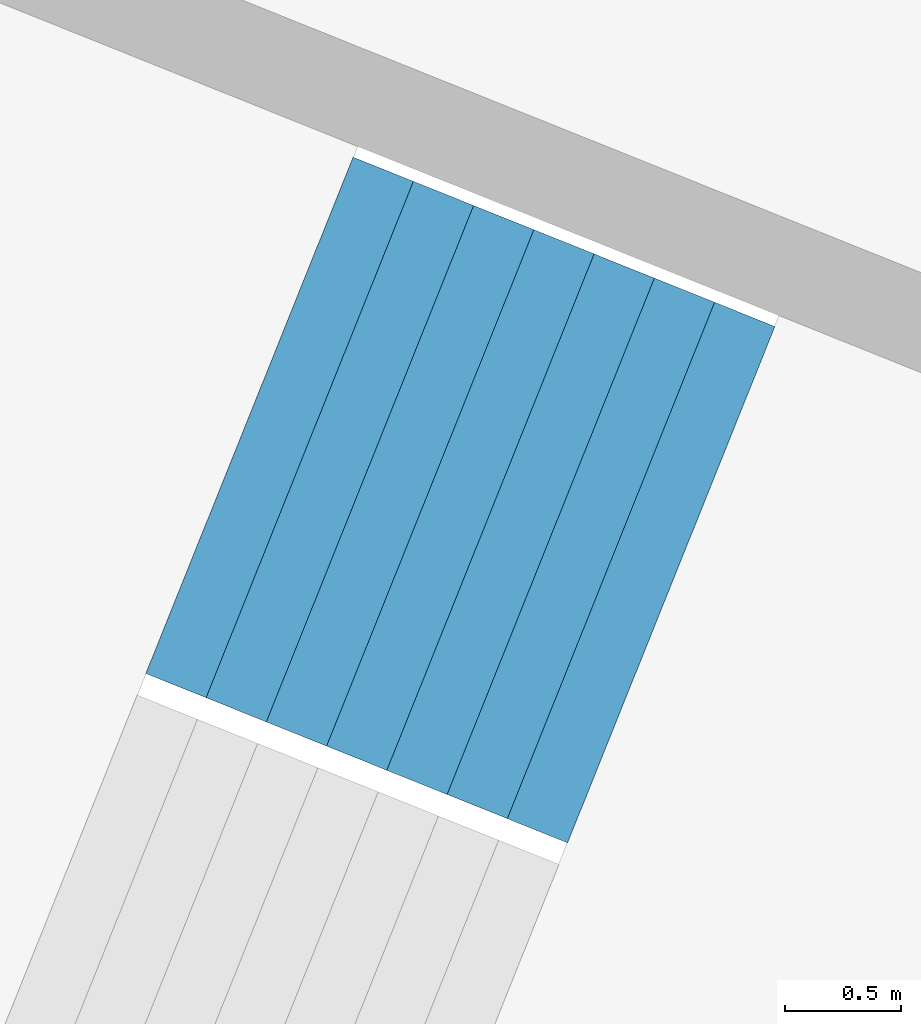
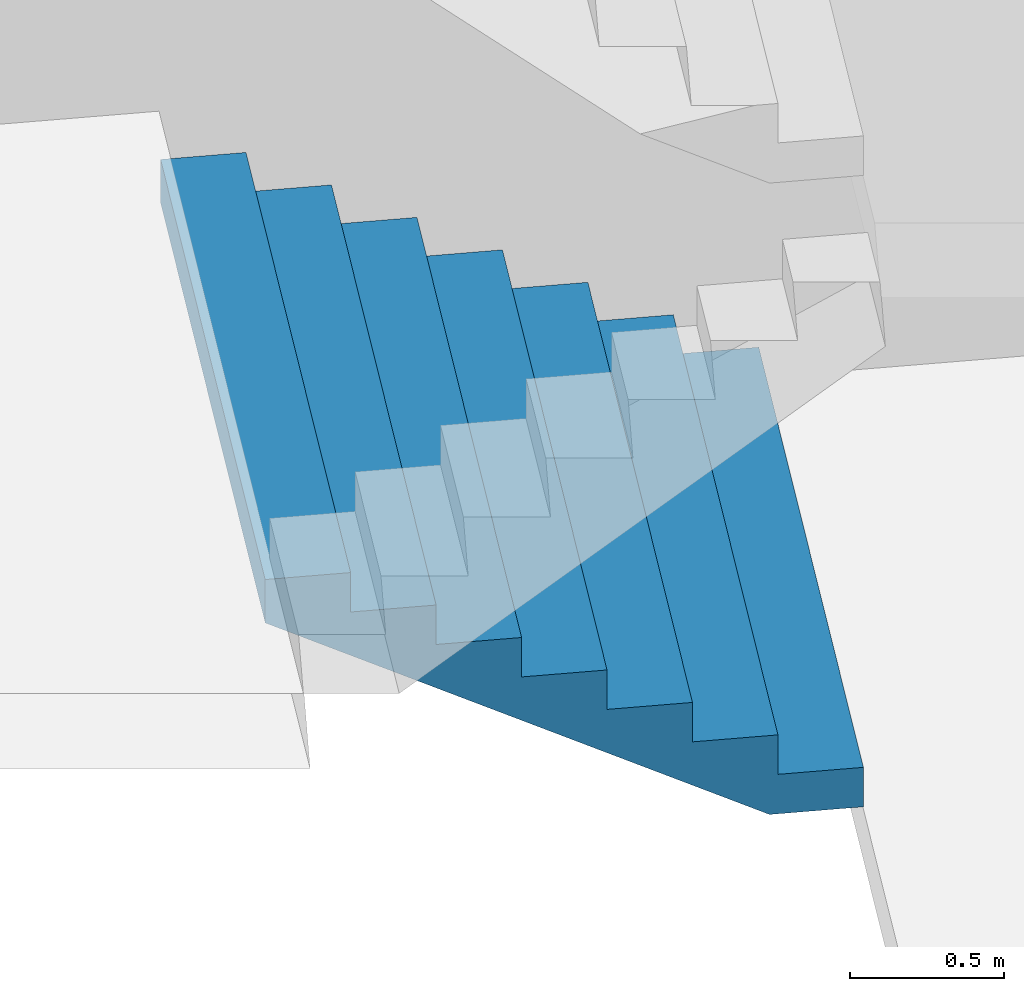
# One storey, part 35 of 73: 1 stair flight, 1 element without a shape of its own.
"""IFC4 building model written with IfcOpenShell, lengths in metres."""

from ifc_helpers import new_model, si_unit, direction, frame, origin, place, context, subcontext, project, spatial, triangles, material, type_object, element, aggregate, save


model = new_model("IFC4")

# Units and contexts
model_context = context("Model", 3, precision=1e-05, world=origin(), true_north=direction((0.0, 1.0)))
body_context = subcontext(model_context, "Body", "Model", "MODEL_VIEW")
ifc_project = project(units=[si_unit("LENGTHUNIT", "METRE"), si_unit("AREAUNIT", "SQUARE_METRE"), si_unit("VOLUMEUNIT", "CUBIC_METRE"), si_unit("PLANEANGLEUNIT", "RADIAN"), si_unit("MASSUNIT", "GRAM", prefix="KILO")], contexts=[model_context])

# Site, building, storey
site_placement = place(None, origin())
site = spatial("IfcSite", under=ifc_project, at=site_placement, CompositionType="ELEMENT")
building_placement = place(site_placement, origin())
building = spatial("IfcBuilding", under=site, at=building_placement, Name="Lantaw Convention Tower", CompositionType="ELEMENT")
storey_placement = place(building_placement, frame((0.0, 0.0, 22.0)))
storey = spatial("IfcBuildingStorey", under=building, at=storey_placement, Name="L03", CompositionType="ELEMENT", Elevation=22.0)

# Stair, stair flight
ifc_material = material(Name="Concrete C35/45", Category="concrete")
stair_type = type_object("IfcStairType", Name="Exit stair 2400 riser 156.25 in 4 flights", PredefinedType="HALF_TURN_STAIR", material=ifc_material)
stair_placement = place(storey_placement, origin())
stair = element("IfcStair", 1, at=stair_placement, inside=storey, type_object=stair_type, Name="Podium exit stair P8 L03", PredefinedType="HALF_TURN_STAIR")
stair_flight_type = type_object("IfcStairFlightType", Name="Stair flight 2400 riser 156.25", PredefinedType="STRAIGHT", material=ifc_material)
stair_flight_placement = place(storey_placement, frame((-35.799560546875, 15.71826171875, 0.0), z_axis=(0.0, 0.0, 1.0), x_axis=(-0.928015168305, 0.372542410198, 0.0)))
stair_flight = element("IfcStairFlight", 2, at=stair_flight_placement, type_object=stair_flight_type, Name="P8 flight 1", NumberOfRisers=8, NumberOfTreads=7, PredefinedType="STRAIGHT", RiserHeight=0.15625, TreadLength=0.28, context=body_context, shape_type="Tessellation", body=[
    triangles([(0.0, 1.199951171875, 0.0), (0.0, 1.199951171875, 0.15625), (0.28, 1.199951171875, 0.0), (0.28, 1.199951171875, 0.15625), (0.28, 1.199951171875, 0.3125), (0.3076200632058044, 1.199951171875, 0.0), (0.3076200632058044, 1.199951171875, 0.3125), (0.56, 1.199951171875, 0.14083701830033238), (0.56, 1.199951171875, 0.3125), (0.56, 1.199951171875, 0.46875), (0.8400000000000001, 1.199951171875, 0.29708701830033235), (0.8400000000000001, 1.199951171875, 0.46875), (0.8400000000000001, 1.199951171875, 0.625), (1.12, 1.199951171875, 0.45333701830033235), (1.12, 1.199951171875, 0.625), (1.12, 1.199951171875, 0.78125), (1.4000000000000001, 1.199951171875, 0.6095870183003324), (1.4000000000000001, 1.199951171875, 0.78125), (1.4000000000000001, 1.199951171875, 0.9375), (1.6800000000000002, 1.199951171875, 0.7658370183003324), (1.6800000000000002, 1.199951171875, 0.9375), (1.6800000000000002, 1.199951171875, 1.09375), (1.9600000000000002, 1.199951171875, 0.9220870183003324), (1.9600000000000002, 1.199951171875, 1.09375), (0.0, -1.199951171875, 0.0), (0.0, -1.199951171875, 0.15625), (0.28, -1.199951171875, 0.0), (0.28, -1.199951171875, 0.15625), (0.28, -1.199951171875, 0.3125), (0.3076200632058044, -1.199951171875, 0.0), (0.3076200632058044, -1.199951171875, 0.3125), (0.56, -1.199951171875, 0.14083701830033238), (0.56, -1.199951171875, 0.3125), (0.56, -1.199951171875, 0.46875), (0.8400000000000001, -1.199951171875, 0.29708701830033235), (0.8400000000000001, -1.199951171875, 0.46875), (0.8400000000000001, -1.199951171875, 0.625), (1.12, -1.199951171875, 0.45333701830033235), (1.12, -1.199951171875, 0.625), (1.12, -1.199951171875, 0.78125), (1.4000000000000001, -1.199951171875, 0.6095870183003324), (1.4000000000000001, -1.199951171875, 0.78125), (1.4000000000000001, -1.199951171875, 0.9375), (1.6800000000000002, -1.199951171875, 0.7658370183003324), (1.6800000000000002, -1.199951171875, 0.9375), (1.6800000000000002, -1.199951171875, 1.09375), (1.9600000000000002, -1.199951171875, 0.9220870183003324), (1.9600000000000002, -1.199951171875, 1.09375), (0.0, 0.239990234375, 0.15625), (0.0, 0.239990234375, 0.0), (0.0, 0.1919921875, 0.15625), (0.0, 0.1919921875, 0.0), (0.0, 0.143994140625, 0.15625), (0.0, 0.143994140625, 0.0), (0.0, 0.09599609375, 0.15625), (0.0, 0.09599609375, 0.0), (0.0, 0.047998046875, 0.15625), (0.0, 0.047998046875, 0.0), (0.0, 0.0, 0.15625), (0.0, 0.0, 0.0), (0.0, -0.047998046875, 0.15625), (0.0, -0.047998046875, 0.0), (0.0, -0.09599609375, 0.15625), (0.0, -0.09599609375, 0.0), (0.0, -0.143994140625, 0.15625), (0.0, -0.143994140625, 0.0), (0.0, -0.1919921875, 0.15625), (0.0, -0.1919921875, 0.0), (0.0, -0.239990234375, 0.15625), (0.0, -0.239990234375, 0.0), (0.28, 0.239990234375, 0.3125), (0.28, 0.239990234375, 0.15625), (0.28, 0.1919921875, 0.3125), (0.28, 0.1919921875, 0.15625), (0.28, 0.143994140625, 0.3125), (0.28, 0.143994140625, 0.15625), (0.28, 0.09599609375, 0.3125), (0.28, 0.09599609375, 0.15625), (0.28, 0.047998046875, 0.3125), (0.28, 0.047998046875, 0.15625), (0.28, 0.0, 0.3125), (0.28, 0.0, 0.15625), (0.28, -0.047998046875, 0.3125), (0.28, -0.047998046875, 0.15625), (0.28, -0.09599609375, 0.3125), (0.28, -0.09599609375, 0.15625), (0.28, -0.143994140625, 0.3125), (0.28, -0.143994140625, 0.15625), (0.28, -0.1919921875, 0.3125), (0.28, -0.1919921875, 0.15625), (0.28, -0.239990234375, 0.3125), (0.28, -0.239990234375, 0.15625), (0.56, 0.239990234375, 0.46875), (0.56, 0.239990234375, 0.3125), (0.56, 0.1919921875, 0.46875), (0.56, 0.1919921875, 0.3125), (0.56, 0.143994140625, 0.46875), (0.56, 0.143994140625, 0.3125), (0.56, 0.09599609375, 0.46875), (0.56, 0.09599609375, 0.3125), (0.56, 0.047998046875, 0.46875), (0.56, 0.047998046875, 0.3125), (0.56, 0.0, 0.46875), (0.56, 0.0, 0.3125), (0.56, -0.047998046875, 0.46875), (0.56, -0.047998046875, 0.3125), (0.56, -0.09599609375, 0.46875), (0.56, -0.09599609375, 0.3125), (0.56, -0.143994140625, 0.46875), (0.56, -0.143994140625, 0.3125), (0.56, -0.1919921875, 0.46875), (0.56, -0.1919921875, 0.3125), (0.56, -0.239990234375, 0.46875), (0.56, -0.239990234375, 0.3125), (0.8400000000000001, 0.239990234375, 0.625), (0.8400000000000001, 0.239990234375, 0.46875), (0.8400000000000001, 0.1919921875, 0.625), (0.8400000000000001, 0.1919921875, 0.46875), (0.8400000000000001, 0.143994140625, 0.625), (0.8400000000000001, 0.143994140625, 0.46875), (0.8400000000000001, 0.09599609375, 0.625), (0.8400000000000001, 0.09599609375, 0.46875), (0.8400000000000001, 0.047998046875, 0.625), (0.8400000000000001, 0.047998046875, 0.46875), (0.8400000000000001, 0.0, 0.625), (0.8400000000000001, 0.0, 0.46875), (0.8400000000000001, -0.047998046875, 0.625), (0.8400000000000001, -0.047998046875, 0.46875), (0.8400000000000001, -0.09599609375, 0.625), (0.8400000000000001, -0.09599609375, 0.46875), (0.8400000000000001, -0.143994140625, 0.625), (0.8400000000000001, -0.143994140625, 0.46875), (0.8400000000000001, -0.1919921875, 0.625), (0.8400000000000001, -0.1919921875, 0.46875), (0.8400000000000001, -0.239990234375, 0.625), (0.8400000000000001, -0.239990234375, 0.46875), (1.12, 0.239990234375, 0.78125), (1.12, 0.239990234375, 0.625), (1.12, 0.1919921875, 0.78125), (1.12, 0.1919921875, 0.625), (1.12, 0.143994140625, 0.78125), (1.12, 0.143994140625, 0.625), (1.12, 0.09599609375, 0.78125), (1.12, 0.09599609375, 0.625), (1.12, 0.047998046875, 0.78125), (1.12, 0.047998046875, 0.625), (1.12, 0.0, 0.78125), (1.12, 0.0, 0.625), (1.12, -0.047998046875, 0.78125), (1.12, -0.047998046875, 0.625), (1.12, -0.09599609375, 0.78125), (1.12, -0.09599609375, 0.625), (1.12, -0.143994140625, 0.78125), (1.12, -0.143994140625, 0.625), (1.12, -0.1919921875, 0.78125), (1.12, -0.1919921875, 0.625), (1.12, -0.239990234375, 0.78125), (1.12, -0.239990234375, 0.625), (1.4000000000000001, 0.239990234375, 0.9375), (1.4000000000000001, 0.239990234375, 0.78125), (1.4000000000000001, 0.1919921875, 0.9375), (1.4000000000000001, 0.1919921875, 0.78125), (1.4000000000000001, 0.143994140625, 0.9375), (1.4000000000000001, 0.143994140625, 0.78125), (1.4000000000000001, 0.09599609375, 0.9375), (1.4000000000000001, 0.09599609375, 0.78125), (1.4000000000000001, 0.047998046875, 0.9375), (1.4000000000000001, 0.047998046875, 0.78125), (1.4000000000000001, 0.0, 0.9375), (1.4000000000000001, 0.0, 0.78125), (1.4000000000000001, -0.047998046875, 0.9375), (1.4000000000000001, -0.047998046875, 0.78125), (1.4000000000000001, -0.09599609375, 0.9375), (1.4000000000000001, -0.09599609375, 0.78125), (1.4000000000000001, -0.143994140625, 0.9375), (1.4000000000000001, -0.143994140625, 0.78125), (1.4000000000000001, -0.1919921875, 0.9375), (1.4000000000000001, -0.1919921875, 0.78125), (1.4000000000000001, -0.239990234375, 0.9375), (1.4000000000000001, -0.239990234375, 0.78125), (1.6800000000000002, 0.239990234375, 1.09375), (1.6800000000000002, 0.239990234375, 0.9375), (1.6800000000000002, 0.1919921875, 1.09375), (1.6800000000000002, 0.1919921875, 0.9375), (1.6800000000000002, 0.143994140625, 1.09375), (1.6800000000000002, 0.143994140625, 0.9375), (1.6800000000000002, 0.09599609375, 1.09375), (1.6800000000000002, 0.09599609375, 0.9375), (1.6800000000000002, 0.047998046875, 1.09375), (1.6800000000000002, 0.047998046875, 0.9375), (1.6800000000000002, 0.0, 1.09375), (1.6800000000000002, 0.0, 0.9375), (1.6800000000000002, -0.047998046875, 1.09375), (1.6800000000000002, -0.047998046875, 0.9375), (1.6800000000000002, -0.09599609375, 1.09375), (1.6800000000000002, -0.09599609375, 0.9375), (1.6800000000000002, -0.143994140625, 1.09375), (1.6800000000000002, -0.143994140625, 0.9375), (1.6800000000000002, -0.1919921875, 1.09375), (1.6800000000000002, -0.1919921875, 0.9375), (1.6800000000000002, -0.239990234375, 1.09375), (1.6800000000000002, -0.239990234375, 0.9375), (0.3076200632058044, 0.239990234375, 0.3125), (0.3076200632058044, 0.1919921875, 0.3125), (0.3076200632058044, 0.143994140625, 0.3125), (0.3076200632058044, 0.09599609375, 0.3125), (0.3076200632058044, 0.047998046875, 0.3125), (0.3076200632058044, 0.0, 0.3125), (0.3076200632058044, -0.047998046875, 0.3125), (0.3076200632058044, -0.09599609375, 0.3125), (0.3076200632058044, -0.143994140625, 0.3125), (0.3076200632058044, -0.1919921875, 0.3125), (0.3076200632058044, -0.239990234375, 0.3125), (1.9600000000000002, 0.239990234375, 1.09375), (1.9600000000000002, 0.1919921875, 1.09375), (1.9600000000000002, 0.143994140625, 1.09375), (1.9600000000000002, 0.09599609375, 1.09375), (1.9600000000000002, 0.047998046875, 1.09375), (1.9600000000000002, 0.0, 1.09375), (1.9600000000000002, -0.047998046875, 1.09375), (1.9600000000000002, -0.09599609375, 1.09375), (1.9600000000000002, -0.143994140625, 1.09375), (1.9600000000000002, -0.1919921875, 1.09375), (1.9600000000000002, -0.239990234375, 1.09375), (1.9600000000000002, 0.239990234375, 0.9220870183003324), (1.9600000000000002, 0.1919921875, 0.9220870183003324), (1.9600000000000002, 0.143994140625, 0.9220870183003324), (1.9600000000000002, 0.09599609375, 0.9220870183003324), (1.9600000000000002, 0.047998046875, 0.9220870183003324), (1.9600000000000002, 0.0, 0.9220870183003324), (1.9600000000000002, -0.047998046875, 0.9220870183003324), (1.9600000000000002, -0.09599609375, 0.9220870183003324), (1.9600000000000002, -0.143994140625, 0.9220870183003324), (1.9600000000000002, -0.1919921875, 0.9220870183003324), (1.9600000000000002, -0.239990234375, 0.9220870183003324), (1.6800000000000002, 0.239990234375, 0.7658370183003324), (1.6800000000000002, 0.1919921875, 0.7658370183003324), (1.6800000000000002, 0.143994140625, 0.7658370183003324), (1.6800000000000002, 0.09599609375, 0.7658370183003324), (1.6800000000000002, 0.047998046875, 0.7658370183003324), (1.6800000000000002, 0.0, 0.7658370183003324), (1.6800000000000002, -0.047998046875, 0.7658370183003324), (1.6800000000000002, -0.09599609375, 0.7658370183003324), (1.6800000000000002, -0.143994140625, 0.7658370183003324), (1.6800000000000002, -0.1919921875, 0.7658370183003324), (1.6800000000000002, -0.239990234375, 0.7658370183003324), (1.4000000000000001, 0.239990234375, 0.6095870183003324), (1.4000000000000001, 0.1919921875, 0.6095870183003324), (1.4000000000000001, 0.143994140625, 0.6095870183003324), (1.4000000000000001, 0.09599609375, 0.6095870183003324), (1.4000000000000001, 0.047998046875, 0.6095870183003324), (1.4000000000000001, 0.0, 0.6095870183003324), (1.4000000000000001, -0.047998046875, 0.6095870183003324), (1.4000000000000001, -0.09599609375, 0.6095870183003324), (1.4000000000000001, -0.143994140625, 0.6095870183003324), (1.4000000000000001, -0.1919921875, 0.6095870183003324), (1.4000000000000001, -0.239990234375, 0.6095870183003324), (1.12, 0.239990234375, 0.45333701830033235), (1.12, 0.1919921875, 0.45333701830033235), (1.12, 0.143994140625, 0.45333701830033235), (1.12, 0.09599609375, 0.45333701830033235), (1.12, 0.047998046875, 0.45333701830033235), (1.12, 0.0, 0.45333701830033235), (1.12, -0.047998046875, 0.45333701830033235), (1.12, -0.09599609375, 0.45333701830033235), (1.12, -0.143994140625, 0.45333701830033235), (1.12, -0.1919921875, 0.45333701830033235), (1.12, -0.239990234375, 0.45333701830033235), (0.8400000000000001, 0.239990234375, 0.29708701830033235), (0.8400000000000001, 0.1919921875, 0.29708701830033235), (0.8400000000000001, 0.143994140625, 0.29708701830033235), (0.8400000000000001, 0.09599609375, 0.29708701830033235), (0.8400000000000001, 0.047998046875, 0.29708701830033235), (0.8400000000000001, 0.0, 0.29708701830033235), (0.8400000000000001, -0.047998046875, 0.29708701830033235), (0.8400000000000001, -0.09599609375, 0.29708701830033235), (0.8400000000000001, -0.143994140625, 0.29708701830033235), (0.8400000000000001, -0.1919921875, 0.29708701830033235), (0.8400000000000001, -0.239990234375, 0.29708701830033235), (0.56, 0.239990234375, 0.14083701830033238), (0.56, 0.1919921875, 0.14083701830033238), (0.56, 0.143994140625, 0.14083701830033238), (0.56, 0.09599609375, 0.14083701830033238), (0.56, 0.047998046875, 0.14083701830033238), (0.56, 0.0, 0.14083701830033238), (0.56, -0.047998046875, 0.14083701830033238), (0.56, -0.09599609375, 0.14083701830033238), (0.56, -0.143994140625, 0.14083701830033238), (0.56, -0.1919921875, 0.14083701830033238), (0.56, -0.239990234375, 0.14083701830033238), (0.3076200632058044, 0.239990234375, 0.0), (0.3076200632058044, 0.1919921875, 0.0), (0.3076200632058044, 0.143994140625, 0.0), (0.3076200632058044, 0.09599609375, 0.0), (0.3076200632058044, 0.047998046875, 0.0), (0.3076200632058044, 0.0, 0.0), (0.3076200632058044, -0.047998046875, 0.0), (0.3076200632058044, -0.09599609375, 0.0), (0.3076200632058044, -0.143994140625, 0.0), (0.3076200632058044, -0.1919921875, 0.0), (0.3076200632058044, -0.239990234375, 0.0), (0.28, 0.239990234375, 0.0), (0.28, 0.1919921875, 0.0), (0.28, 0.143994140625, 0.0), (0.28, 0.09599609375, 0.0), (0.28, 0.047998046875, 0.0), (0.28, 0.0, 0.0), (0.28, -0.047998046875, 0.0), (0.28, -0.09599609375, 0.0), (0.28, -0.143994140625, 0.0), (0.28, -0.1919921875, 0.0), (0.28, -0.239990234375, 0.0)], [[1, 4, 3], [1, 2, 4], [3, 4, 6], [4, 7, 6], [4, 5, 7], [6, 9, 8], [6, 7, 9], [8, 9, 11], [9, 12, 11], [9, 10, 12], [11, 12, 14], [12, 15, 14], [12, 13, 15], [14, 15, 17], [15, 18, 17], [15, 16, 18], [17, 18, 20], [18, 21, 20], [18, 19, 21], [20, 21, 23], [21, 24, 23], [21, 22, 24], [25, 27, 28], [25, 28, 26], [27, 30, 28], [28, 30, 31], [28, 31, 29], [30, 32, 33], [30, 33, 31], [32, 35, 33], [33, 35, 36], [33, 36, 34], [35, 38, 36], [36, 38, 39], [36, 39, 37], [38, 41, 39], [39, 41, 42], [39, 42, 40], [41, 44, 42], [42, 44, 45], [42, 45, 43], [44, 47, 45], [45, 47, 48], [45, 48, 46], [1, 49, 2], [1, 50, 49], [50, 51, 49], [50, 52, 51], [52, 53, 51], [52, 54, 53], [54, 55, 53], [54, 56, 55], [56, 57, 55], [56, 58, 57], [58, 59, 57], [58, 60, 59], [60, 61, 59], [60, 62, 61], [62, 63, 61], [62, 64, 63], [64, 65, 63], [64, 66, 65], [66, 67, 65], [66, 68, 67], [68, 69, 67], [68, 70, 69], [70, 26, 69], [70, 25, 26], [4, 71, 5], [4, 72, 71], [72, 73, 71], [72, 74, 73], [74, 75, 73], [74, 76, 75], [76, 77, 75], [76, 78, 77], [78, 79, 77], [78, 80, 79], [80, 81, 79], [80, 82, 81], [82, 83, 81], [82, 84, 83], [84, 85, 83], [84, 86, 85], [86, 87, 85], [86, 88, 87], [88, 89, 87], [88, 90, 89], [90, 91, 89], [90, 92, 91], [92, 29, 91], [92, 28, 29], [9, 93, 10], [9, 94, 93], [94, 95, 93], [94, 96, 95], [96, 97, 95], [96, 98, 97], [98, 99, 97], [98, 100, 99], [100, 101, 99], [100, 102, 101], [102, 103, 101], [102, 104, 103], [104, 105, 103], [104, 106, 105], [106, 107, 105], [106, 108, 107], [108, 109, 107], [108, 110, 109], [110, 111, 109], [110, 112, 111], [112, 113, 111], [112, 114, 113], [114, 34, 113], [114, 33, 34], [12, 115, 13], [12, 116, 115], [116, 117, 115], [116, 118, 117], [118, 119, 117], [118, 120, 119], [120, 121, 119], [120, 122, 121], [122, 123, 121], [122, 124, 123], [124, 125, 123], [124, 126, 125], [126, 127, 125], [126, 128, 127], [128, 129, 127], [128, 130, 129], [130, 131, 129], [130, 132, 131], [132, 133, 131], [132, 134, 133], [134, 135, 133], [134, 136, 135], [136, 37, 135], [136, 36, 37], [15, 137, 16], [15, 138, 137], [138, 139, 137], [138, 140, 139], [140, 141, 139], [140, 142, 141], [142, 143, 141], [142, 144, 143], [144, 145, 143], [144, 146, 145], [146, 147, 145], [146, 148, 147], [148, 149, 147], [148, 150, 149], [150, 151, 149], [150, 152, 151], [152, 153, 151], [152, 154, 153], [154, 155, 153], [154, 156, 155], [156, 157, 155], [156, 158, 157], [158, 40, 157], [158, 39, 40], [18, 159, 19], [18, 160, 159], [160, 161, 159], [160, 162, 161], [162, 163, 161], [162, 164, 163], [164, 165, 163], [164, 166, 165], [166, 167, 165], [166, 168, 167], [168, 169, 167], [168, 170, 169], [170, 171, 169], [170, 172, 171], [172, 173, 171], [172, 174, 173], [174, 175, 173], [174, 176, 175], [176, 177, 175], [176, 178, 177], [178, 179, 177], [178, 180, 179], [180, 43, 179], [180, 42, 43], [21, 181, 22], [21, 182, 181], [182, 183, 181], [182, 184, 183], [184, 185, 183], [184, 186, 185], [186, 187, 185], [186, 188, 187], [188, 189, 187], [188, 190, 189], [190, 191, 189], [190, 192, 191], [192, 193, 191], [192, 194, 193], [194, 195, 193], [194, 196, 195], [196, 197, 195], [196, 198, 197], [198, 199, 197], [198, 200, 199], [200, 201, 199], [200, 202, 201], [202, 46, 201], [202, 45, 46], [2, 72, 4], [2, 49, 72], [49, 74, 72], [49, 51, 74], [51, 76, 74], [51, 53, 76], [53, 78, 76], [53, 55, 78], [55, 80, 78], [55, 57, 80], [57, 82, 80], [57, 59, 82], [59, 84, 82], [59, 61, 84], [61, 86, 84], [61, 63, 86], [63, 88, 86], [63, 65, 88], [65, 90, 88], [65, 67, 90], [67, 92, 90], [67, 69, 92], [69, 28, 92], [69, 26, 28], [5, 203, 7], [5, 71, 203], [71, 204, 203], [71, 73, 204], [73, 205, 204], [73, 75, 205], [75, 206, 205], [75, 77, 206], [77, 207, 206], [77, 79, 207], [79, 208, 207], [79, 81, 208], [81, 209, 208], [81, 83, 209], [83, 210, 209], [83, 85, 210], [85, 211, 210], [85, 87, 211], [87, 212, 211], [87, 89, 212], [89, 213, 212], [89, 91, 213], [91, 31, 213], [91, 29, 31], [7, 94, 9], [7, 203, 94], [203, 96, 94], [203, 204, 96], [204, 98, 96], [204, 205, 98], [205, 100, 98], [205, 206, 100], [206, 102, 100], [206, 207, 102], [207, 104, 102], [207, 208, 104], [208, 106, 104], [208, 209, 106], [209, 108, 106], [209, 210, 108], [210, 110, 108], [210, 211, 110], [211, 112, 110], [211, 212, 112], [212, 114, 112], [212, 213, 114], [213, 33, 114], [213, 31, 33], [10, 116, 12], [10, 93, 116], [93, 118, 116], [93, 95, 118], [95, 120, 118], [95, 97, 120], [97, 122, 120], [97, 99, 122], [99, 124, 122], [99, 101, 124], [101, 126, 124], [101, 103, 126], [103, 128, 126], [103, 105, 128], [105, 130, 128], [105, 107, 130], [107, 132, 130], [107, 109, 132], [109, 134, 132], [109, 111, 134], [111, 136, 134], [111, 113, 136], [113, 36, 136], [113, 34, 36], [13, 138, 15], [13, 115, 138], [115, 140, 138], [115, 117, 140], [117, 142, 140], [117, 119, 142], [119, 144, 142], [119, 121, 144], [121, 146, 144], [121, 123, 146], [123, 148, 146], [123, 125, 148], [125, 150, 148], [125, 127, 150], [127, 152, 150], [127, 129, 152], [129, 154, 152], [129, 131, 154], [131, 156, 154], [131, 133, 156], [133, 158, 156], [133, 135, 158], [135, 39, 158], [135, 37, 39], [16, 160, 18], [16, 137, 160], [137, 162, 160], [137, 139, 162], [139, 164, 162], [139, 141, 164], [141, 166, 164], [141, 143, 166], [143, 168, 166], [143, 145, 168], [145, 170, 168], [145, 147, 170], [147, 172, 170], [147, 149, 172], [149, 174, 172], [149, 151, 174], [151, 176, 174], [151, 153, 176], [153, 178, 176], [153, 155, 178], [155, 180, 178], [155, 157, 180], [157, 42, 180], [157, 40, 42], [19, 182, 21], [19, 159, 182], [159, 184, 182], [159, 161, 184], [161, 186, 184], [161, 163, 186], [163, 188, 186], [163, 165, 188], [165, 190, 188], [165, 167, 190], [167, 192, 190], [167, 169, 192], [169, 194, 192], [169, 171, 194], [171, 196, 194], [171, 173, 196], [173, 198, 196], [173, 175, 198], [175, 200, 198], [175, 177, 200], [177, 202, 200], [177, 179, 202], [179, 45, 202], [179, 43, 45], [22, 214, 24], [22, 181, 214], [181, 215, 214], [181, 183, 215], [183, 216, 215], [183, 185, 216], [185, 217, 216], [185, 187, 217], [187, 218, 217], [187, 189, 218], [189, 219, 218], [189, 191, 219], [191, 220, 219], [191, 193, 220], [193, 221, 220], [193, 195, 221], [195, 222, 221], [195, 197, 222], [197, 223, 222], [197, 199, 223], [199, 224, 223], [199, 201, 224], [201, 48, 224], [201, 46, 48], [24, 225, 23], [24, 214, 225], [214, 226, 225], [214, 215, 226], [215, 227, 226], [215, 216, 227], [216, 228, 227], [216, 217, 228], [217, 229, 228], [217, 218, 229], [218, 230, 229], [218, 219, 230], [219, 231, 230], [219, 220, 231], [220, 232, 231], [220, 221, 232], [221, 233, 232], [221, 222, 233], [222, 234, 233], [222, 223, 234], [223, 235, 234], [223, 224, 235], [224, 47, 235], [224, 48, 47], [23, 236, 20], [23, 225, 236], [225, 237, 236], [225, 226, 237], [226, 238, 237], [226, 227, 238], [227, 239, 238], [227, 228, 239], [228, 240, 239], [228, 229, 240], [229, 241, 240], [229, 230, 241], [230, 242, 241], [230, 231, 242], [231, 243, 242], [231, 232, 243], [232, 244, 243], [232, 233, 244], [233, 245, 244], [233, 234, 245], [234, 246, 245], [234, 235, 246], [235, 44, 246], [235, 47, 44], [20, 247, 17], [20, 236, 247], [236, 248, 247], [236, 237, 248], [237, 249, 248], [237, 238, 249], [238, 250, 249], [238, 239, 250], [239, 251, 250], [239, 240, 251], [240, 252, 251], [240, 241, 252], [241, 253, 252], [241, 242, 253], [242, 254, 253], [242, 243, 254], [243, 255, 254], [243, 244, 255], [244, 256, 255], [244, 245, 256], [245, 257, 256], [245, 246, 257], [246, 41, 257], [246, 44, 41], [17, 258, 14], [17, 247, 258], [247, 259, 258], [247, 248, 259], [248, 260, 259], [248, 249, 260], [249, 261, 260], [249, 250, 261], [250, 262, 261], [250, 251, 262], [251, 263, 262], [251, 252, 263], [252, 264, 263], [252, 253, 264], [253, 265, 264], [253, 254, 265], [254, 266, 265], [254, 255, 266], [255, 267, 266], [255, 256, 267], [256, 268, 267], [256, 257, 268], [257, 38, 268], [257, 41, 38], [14, 269, 11], [14, 258, 269], [258, 270, 269], [258, 259, 270], [259, 271, 270], [259, 260, 271], [260, 272, 271], [260, 261, 272], [261, 273, 272], [261, 262, 273], [262, 274, 273], [262, 263, 274], [263, 275, 274], [263, 264, 275], [264, 276, 275], [264, 265, 276], [265, 277, 276], [265, 266, 277], [266, 278, 277], [266, 267, 278], [267, 279, 278], [267, 268, 279], [268, 35, 279], [268, 38, 35], [11, 280, 8], [11, 269, 280], [269, 281, 280], [269, 270, 281], [270, 282, 281], [270, 271, 282], [271, 283, 282], [271, 272, 283], [272, 284, 283], [272, 273, 284], [273, 285, 284], [273, 274, 285], [274, 286, 285], [274, 275, 286], [275, 287, 286], [275, 276, 287], [276, 288, 287], [276, 277, 288], [277, 289, 288], [277, 278, 289], [278, 290, 289], [278, 279, 290], [279, 32, 290], [279, 35, 32], [8, 291, 6], [8, 280, 291], [280, 292, 291], [280, 281, 292], [281, 293, 292], [281, 282, 293], [282, 294, 293], [282, 283, 294], [283, 295, 294], [283, 284, 295], [284, 296, 295], [284, 285, 296], [285, 297, 296], [285, 286, 297], [286, 298, 297], [286, 287, 298], [287, 299, 298], [287, 288, 299], [288, 300, 299], [288, 289, 300], [289, 301, 300], [289, 290, 301], [290, 30, 301], [290, 32, 30], [6, 302, 3], [6, 291, 302], [291, 303, 302], [291, 292, 303], [292, 304, 303], [292, 293, 304], [293, 305, 304], [293, 294, 305], [294, 306, 305], [294, 295, 306], [295, 307, 306], [295, 296, 307], [296, 308, 307], [296, 297, 308], [297, 309, 308], [297, 298, 309], [298, 310, 309], [298, 299, 310], [299, 311, 310], [299, 300, 311], [300, 312, 311], [300, 301, 312], [301, 27, 312], [301, 30, 27], [3, 50, 1], [3, 302, 50], [302, 52, 50], [302, 303, 52], [303, 54, 52], [303, 304, 54], [304, 56, 54], [304, 305, 56], [305, 58, 56], [305, 306, 58], [306, 60, 58], [306, 307, 60], [307, 62, 60], [307, 308, 62], [308, 64, 62], [308, 309, 64], [309, 66, 64], [309, 310, 66], [310, 68, 66], [310, 311, 68], [311, 70, 68], [311, 312, 70], [312, 25, 70], [312, 27, 25]], closed=True),
])
aggregate(stair, [stair_flight])

save(model, "model.ifc")
